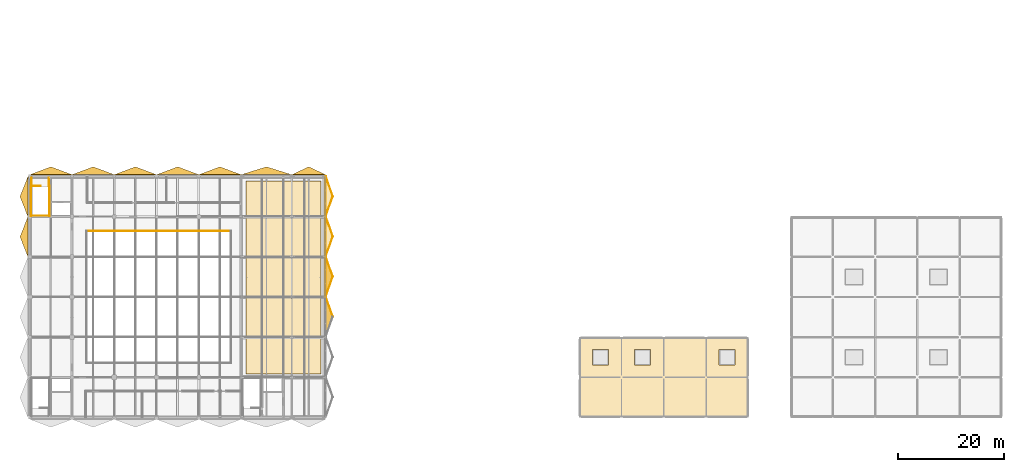
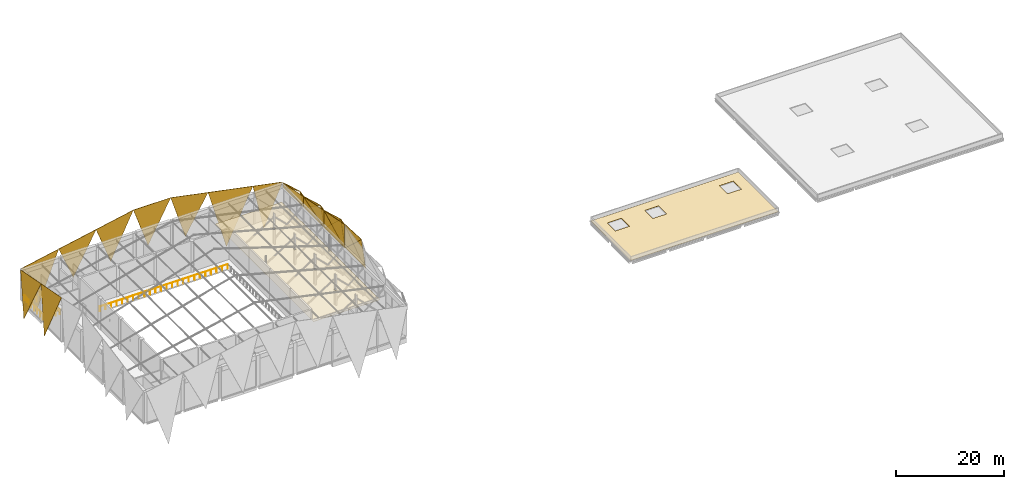
# One storey, part 43 of 46: 28 coverings, 7 railings.
"""IFC4 building model written with IfcOpenShell, lengths in metres."""

import ifcopenshell
import ifcopenshell.guid

model = None  # the IFC model being written
_history = None  # IfcOwnerHistory: only IFC2X3 demands one
_inside = {}  # id of a spatial element -> (the spatial element, [elements in it])
_under = {}  # id of a project, library or spatial element -> (it, [spatial elements below it])
_declared = {}  # id of a project -> (the project, [libraries it declares])
_typed = {}  # id of a type object -> (the type object, [elements of that type])
_made_of = {}  # id of a material, layer set ... -> (it, [elements and type objects made of it])


def new_model(schema):
    """Start an empty IFC model of exactly this schema.

    Asked for "IFC4X3", IfcOpenShell would pick the latest addendum, in which some entities
    have other attributes; the version numbers below select the first issue.
    IFC2X3 requires an IfcOwnerHistory on every rooted entity: one is made here for all.
    """
    global model, _history
    if schema == "IFC4X3":
        model = ifcopenshell.file(schema_version=(4, 3, 0, 0))
    else:
        model = ifcopenshell.file(schema=schema)
    _inside.clear()
    _under.clear()
    _declared.clear()
    _typed.clear()
    _made_of.clear()
    _history = None
    if model.schema == "IFC2X3":
        org = make("IfcOrganization", Name="unknown")
        user = make(
            "IfcPersonAndOrganization",
            ThePerson=make("IfcPerson", FamilyName="unknown"),
            TheOrganization=org,
        )
        app = make(
            "IfcApplication",
            ApplicationDeveloper=org,
            Version="unknown",
            ApplicationFullName="unknown",
            ApplicationIdentifier="unknown",
        )
        _history = make(
            "IfcOwnerHistory",
            OwningUser=user,
            OwningApplication=app,
            ChangeAction="ADDED",
            CreationDate=0,
        )
    return model


def make(cls, **values):
    """One entity of the class cls with the attributes given. An attribute that is None is left unset."""
    return model.create_entity(
        cls, **{name: value for name, value in values.items() if value is not None}
    )


def rooted(cls, **values):
    """An entity with a GlobalId (a new one), such as an element, a storey or a relation."""
    return make(cls, GlobalId=ifcopenshell.guid.new(), OwnerHistory=_history, **values)


def si_unit(unit_type, name, prefix=None):
    """IfcSIUnit, for example si_unit("LENGTHUNIT", "METRE", prefix="MILLI")."""
    return make("IfcSIUnit", UnitType=unit_type, Prefix=prefix, Name=name)


def assignment(units):
    """IfcUnitAssignment: the units of a project."""
    return None if units is None else make("IfcUnitAssignment", Units=units)


def point(xyz):
    """IfcCartesianPoint."""
    return None if xyz is None else make("IfcCartesianPoint", Coordinates=xyz)


def direction(xyz):
    """IfcDirection."""
    return None if xyz is None else make("IfcDirection", DirectionRatios=xyz)


def frame(location, z_axis=None, x_axis=None):
    """IfcAxis2Placement3D, a coordinate frame: its origin and axes. An axis left out is left unset."""
    return make(
        "IfcAxis2Placement3D",
        Location=point(location),
        Axis=direction(z_axis),
        RefDirection=direction(x_axis),
    )


def frame_2d(location, x_axis=None):
    """IfcAxis2Placement2D, a coordinate frame in the plane: its origin and x axis."""
    return make(
        "IfcAxis2Placement2D", Location=point(location), RefDirection=direction(x_axis)
    )


def origin():
    """The frame at (0, 0, 0) with its axes left unset."""
    return frame((0.0, 0.0, 0.0))


def origin_2d():
    """The frame at (0, 0) in the plane with its x axis left unset."""
    return frame_2d((0.0, 0.0))


def place(relative_to, where):
    """IfcLocalPlacement: puts the frame where relative to a parent placement (None: the world)."""
    return make(
        "IfcLocalPlacement", PlacementRelTo=relative_to, RelativePlacement=where
    )


def context(
    kind, dimensions, precision=None, world=None, true_north=None, identifier=None
):
    """IfcGeometricRepresentationContext, for example the 3D "Model" context."""
    return make(
        "IfcGeometricRepresentationContext",
        ContextIdentifier=identifier,
        ContextType=kind,
        CoordinateSpaceDimension=dimensions,
        Precision=precision,
        WorldCoordinateSystem=world,
        TrueNorth=true_north,
    )


def subcontext(parent, identifier, kind, view, scale=None):
    """IfcGeometricRepresentationSubContext, for example "Body" below "Model"."""
    return make(
        "IfcGeometricRepresentationSubContext",
        ContextIdentifier=identifier,
        ContextType=kind,
        ParentContext=parent,
        TargetScale=scale,
        TargetView=view,
    )


def project(units=None, contexts=None):
    """IfcProject with its units and contexts."""
    return rooted(
        "IfcProject",
        Name="project",
        RepresentationContexts=contexts,
        UnitsInContext=assignment(units),
    )


def spatial(cls, under=None, at=None, **own):
    """A site, building, storey or space (cls), placed at a placement, below another one or the project."""
    s = rooted(cls, ObjectPlacement=at, **own)
    if under is not None:
        _under.setdefault(under.id(), (under, []))[1].append(s)
    return s


def polyline(points):
    """IfcPolyline through the points."""
    return make("IfcPolyline", Points=[point(p) for p in points])


def profile(cls, at=None, kind="AREA", **sizes):
    """A parametric profile (cls). Its sizes go by their IFC names, for example OverallWidth=200.0."""
    return make(cls, ProfileType=kind, Position=at, **sizes)


def circle(**sizes):
    """IfcCircleProfileDef."""
    return profile("IfcCircleProfileDef", **sizes)


def outline(outer, holes=None, kind="AREA"):
    """IfcArbitraryClosedProfileDef: a profile drawn as a closed curve; with holes, ...WithVoids."""
    if holes is None:
        return make("IfcArbitraryClosedProfileDef", ProfileType=kind, OuterCurve=outer)
    return make(
        "IfcArbitraryProfileDefWithVoids",
        ProfileType=kind,
        OuterCurve=outer,
        InnerCurves=holes,
    )


def extrude(swept, where, along, depth):
    """IfcExtrudedAreaSolid: the profile swept, set in the frame where, extruded along a direction by depth."""
    return make(
        "IfcExtrudedAreaSolid",
        SweptArea=swept,
        Position=where,
        ExtrudedDirection=direction(along),
        Depth=depth,
    )


def shape(context_of_items, identifier, shape_type, items):
    """IfcShapeRepresentation: the items that make up one representation, for example the "Body"."""
    return make(
        "IfcShapeRepresentation",
        ContextOfItems=context_of_items,
        RepresentationIdentifier=identifier,
        RepresentationType=shape_type,
        Items=items,
    )


def material(Name=None, Category=None):
    """IfcMaterial."""
    return make("IfcMaterial", Name=Name, Category=Category)


def layer(
    of_material, thickness, ventilated=None, Name=None, Category=None, Priority=None
):
    """IfcMaterialLayer: one layer of a wall or slab, of a material (None: an air gap)."""
    return make(
        "IfcMaterialLayer",
        Material=of_material,
        LayerThickness=thickness,
        IsVentilated=ventilated,
        Name=Name,
        Category=Category,
        Priority=Priority,
    )


def layer_set(layers, Name=None):
    """IfcMaterialLayerSet."""
    return make("IfcMaterialLayerSet", MaterialLayers=layers, LayerSetName=Name)


def made_of(thing, what):
    """Note that an element or type object is made of a material, layer set ...; save() writes the relation."""
    if what is not None:
        _made_of.setdefault(what.id(), (what, []))[1].append(thing)
    return thing


def type_object(cls, material=None, **own):
    """A type object (cls), such as IfcWallType, which elements share."""
    return made_of(rooted(cls, **own), material)


def element(
    cls,
    number,
    at=None,
    inside=None,
    cuts=None,
    type_object=None,
    material=None,
    context=None,
    identifier="Body",
    shape_type=None,
    held_by="IfcProductDefinitionShape",
    body=None,
    shapes=None,
    **own,
):
    """One element of the class cls, such as IfcWall. Its Tag is "e" and its number.

    at: its placement. inside: the storey or other place that contains it. cuts: it is an
    opening in that element (IfcRelVoidsElement). A single representation is given by context,
    identifier, shape_type and body (its items); several are given by shapes. held_by: the class
    of the entity that holds the representations. save() writes the other relations.
    """
    e = rooted(cls, Tag="e%d" % number, ObjectPlacement=at, **own)
    if body is not None:
        shapes = [shape(context, identifier, shape_type, body)]
    if shapes is not None:
        e.Representation = make(held_by, Representations=shapes)
    if inside is not None:
        _inside.setdefault(inside.id(), (inside, []))[1].append(e)
    if cuts is not None:
        rooted(
            "IfcRelVoidsElement", RelatingBuildingElement=cuts, RelatedOpeningElement=e
        )
    if type_object is not None:
        _typed.setdefault(type_object.id(), (type_object, []))[1].append(e)
    return made_of(e, material)


def aggregate(whole, parts):
    """IfcRelAggregates: a whole, such as a stair, and the parts it consists of."""
    return rooted("IfcRelAggregates", RelatingObject=whole, RelatedObjects=parts)


def save(model, path):
    """Write the relations noted so far, then the file.

    IfcRelAggregates (storeys below a building ...), IfcRelContainedInSpatialStructure (elements
    in a storey), IfcRelDefinesByType, IfcRelAssociatesMaterial and IfcRelDeclares: one each for
    every whole, place, type object, material and project.
    """
    for whole, parts in _under.values():
        aggregate(whole, parts)
    for where, things in _inside.values():
        rooted(
            "IfcRelContainedInSpatialStructure",
            RelatedElements=things,
            RelatingStructure=where,
        )
    for kind, things in _typed.values():
        rooted("IfcRelDefinesByType", RelatedObjects=things, RelatingType=kind)
    for what, things in _made_of.values():
        rooted("IfcRelAssociatesMaterial", RelatedObjects=things, RelatingMaterial=what)
    for by, libraries in _declared.values():
        rooted("IfcRelDeclares", RelatingContext=by, RelatedDefinitions=libraries)
    model.write(path)


model = new_model("IFC4")

# Units and contexts
model_context = context("Model", 3, precision=1e-05, world=origin(), true_north=direction((0.0, 1.0)))
body_context = subcontext(model_context, "Body", "Model", "MODEL_VIEW")
ifc_project = project(units=[si_unit("LENGTHUNIT", "METRE"), si_unit("AREAUNIT", "SQUARE_METRE"), si_unit("VOLUMEUNIT", "CUBIC_METRE"), si_unit("PLANEANGLEUNIT", "RADIAN"), si_unit("MASSUNIT", "GRAM", prefix="KILO")], contexts=[model_context])

# Site, building, storey
site_placement = place(None, origin())
site = spatial("IfcSite", under=ifc_project, at=site_placement, CompositionType="ELEMENT")
building_placement = place(site_placement, origin())
building = spatial("IfcBuilding", under=site, at=building_placement, Name="Khelvaren Railside Concert Hall", CompositionType="ELEMENT")
storey_placement = place(building_placement, frame((0.0, 0.0, 19.800048828125)))
storey = spatial("IfcBuildingStorey", under=building, at=storey_placement, Name="L04", CompositionType="ELEMENT", Elevation=19.800048828125)

# Coverings
ifc_material_1 = material(Name="Precast architectural concrete C45/55", Category="concrete")
ifc_layer_1 = layer(ifc_material_1, 0.06005859375)
ifc_layer_set_1 = layer_set([ifc_layer_1], Name="Precast architectural concrete C45/55")
covering_type_1 = type_object("IfcCoveringType", Name="CLD31", PredefinedType="CLADDING", material=ifc_layer_set_1)
covering_1_placement = place(storey_placement, frame((0.0, 45.955078125, 7.0), z_axis=(-0.022860166249, 0.993287054992, 0.113394176148), x_axis=(0.980278058899, 0.0, 0.197623195101)))
element("IfcCovering", 1, at=covering_1_placement, inside=storey, type_object=covering_type_1, Name="Main Hall Cut-Crystal Upper Facet N-1", PredefinedType="CLADDING", context=body_context, shape_type="SweptSolid", body=[
    extrude(outline(polyline([(0.0, 0.0), (8.160949770709868, 2.220446049250313e-16), (1.4927014309444315, 12.922985099105977), (0.0, 0.0)])), origin(), (0.0, 0.0, -1.0), 0.06005859375),
])
covering_2_placement = place(storey_placement, frame((16.0, 45.955078125, 10.2255859375), z_axis=(-0.028880817845, 0.9892637958, 0.143258649583), x_axis=(0.980278058899, 0.0, 0.197623195101)))
element("IfcCovering", 2, at=covering_2_placement, inside=storey, type_object=covering_type_1, Name="Main Hall Cut-Crystal Upper Facet N-3", PredefinedType="CLADDING", context=body_context, shape_type="SweptSolid", body=[
    extrude(outline(polyline([(0.0, 0.0), (8.160949770709868, 2.220446049250313e-16), (2.040459276155999, 10.228989683712548), (0.0, 0.0)])), origin(), (0.0, 0.0, -1.0), 0.06005859375),
])
covering_3_placement = place(storey_placement, frame((32.0, 45.955078125, 11.83837890625), z_axis=(0.028880817845, 0.9892637958, 0.143258649583), x_axis=(0.980278058899, 0.0, -0.197623195101)))
element("IfcCovering", 3, at=covering_3_placement, inside=storey, type_object=covering_type_1, Name="Main Hall Cut-Crystal Upper Facet N-5", PredefinedType="CLADDING", context=body_context, shape_type="SweptSolid", body=[
    extrude(outline(polyline([(0.0, 0.0), (8.160949770709868, -2.220446049250313e-16), (6.120490494553868, 10.228989683712548), (0.0, 0.0)])), origin(), (0.0, 0.0, -1.0), 0.06005859375),
])
covering_4_placement = place(storey_placement, frame((49.60009765625, 45.955078125, 8.2900390625), z_axis=(0.02733598184, 0.990384537997, 0.135614199082), x_axis=(0.980283269929, 0.0, -0.197597344865)))
element("IfcCovering", 4, at=covering_4_placement, inside=storey, type_object=covering_type_1, Name="Main Hall Cut-Crystal Upper Facet N-7", PredefinedType="CLADDING", context=body_context, shape_type="SweptSolid", body=[
    extrude(outline(polyline([(0.0, 0.0), (6.52862549027838, 0.0), (5.421481415306211, 10.805646078632188), (0.0, 0.0)])), origin(), (0.0, 0.0, -1.0), 0.06005859375),
])
covering_5_placement = place(storey_placement, frame((-0.35498046875, 30.39990234375, 9.90771484375), z_axis=(-0.988039852076, 0.028972048222, 0.151452537555), x_axis=(0.0, 0.982190514712, -0.187887713303)))
element("IfcCovering", 5, at=covering_5_placement, inside=storey, type_object=covering_type_1, Name="Main Hall Cut-Crystal West Upper Facet 5", PredefinedType="CLADDING", context=body_context, shape_type="SweptSolid", body=[
    extrude(outline(polyline([(0.0, 0.0), (7.7379057753165865, 0.0), (5.701569093226583, 9.696040381071471), (0.0, 0.0)])), origin(), (0.0, 0.0, -1.0), 0.06005859375),
])
covering_6_placement = place(storey_placement, frame((55.97998046875, 22.800048828125, 6.02001953125), z_axis=(1.0, 0.0, 0.0), x_axis=(0.0, 0.890276748559, 0.455419928171)))
element("IfcCovering", 6, at=covering_6_placement, inside=storey, type_object=covering_type_1, Name="Main Hall East Gable Infill Cladding Panel 4B", PredefinedType="CLADDING", context=body_context, shape_type="SweptSolid", body=[
    extrude(outline(polyline([(0.0, 0.0), (8.536506797384522, 0.0), (2.432649562613104, 4.755460200614375), (0.0, 0.0)])), origin(), (0.0, 0.0, -1.0), 0.06005859375),
])
covering_7_placement = place(storey_placement, frame((56.02001953125, 22.800048828125, 6.02001953125), z_axis=(-0.942881912849, 0.0, 0.333127150532), x_axis=(0.0, 1.0, 0.0)))
element("IfcCovering", 7, at=covering_7_placement, inside=storey, type_object=covering_type_1, Name="Main Hall East Plaza Crystal Brow Lower Facet 4", PredefinedType="CLADDING", context=body_context, shape_type="SweptSolid", body=[
    extrude(outline(polyline([(0.0, 0.0), (7.599853515625, 0.0), (3.800048828125, -3.9927040557214744), (0.0, 0.0)])), origin(), (0.0, 0.0, -1.0), 0.06005859375),
])
covering_8_placement = place(storey_placement, frame((56.02001953125, 30.39990234375, 9.90771484375), z_axis=(-0.943847010579, -0.330382839478, 0.0), x_axis=(0.0, 0.0, -1.0)))
element("IfcCovering", 8, at=covering_8_placement, inside=storey, type_object=covering_type_1, Name="Main Hall East Plaza Crystal Brow North Flank 4", PredefinedType="CLADDING", context=body_context, shape_type="SweptSolid", body=[
    extrude(outline(polyline([(0.0, 0.0), (3.8876953125, 0.0), (0.123046875, 4.025869282745093), (0.0, 0.0)])), origin(), (0.0, 0.0, -1.0), 0.06005859375),
])
covering_9_placement = place(storey_placement, frame((55.97998046875, 30.39990234375, 6.02001953125), z_axis=(1.0, 0.0, 0.0), x_axis=(0.0, 1.0, 0.0)))
element("IfcCovering", 9, at=covering_9_placement, inside=storey, type_object=covering_type_1, Name="Main Hall East Gable Infill Cladding Panel 5A", PredefinedType="CLADDING", context=body_context, shape_type="SweptSolid", body=[
    extrude(outline(polyline([(0.0, 0.0), (7.60009765625, 0.0), (7.60009765625, 2.433837890625), (0.0, 0.0)])), origin(), (0.0, 0.0, -1.0), 0.06005859375),
])
covering_10_placement = place(storey_placement, frame((56.02001953125, 30.39990234375, 9.90771484375), z_axis=(0.943853629361, -0.330363930148, 0.0), x_axis=(0.0, 0.0, -1.0)))
element("IfcCovering", 10, at=covering_10_placement, inside=storey, type_object=covering_type_1, Name="Main Hall East Plaza Crystal Brow South Flank 5", PredefinedType="CLADDING", context=body_context, shape_type="SweptSolid", body=[
    extrude(outline(polyline([(0.0, 0.0), (3.8876953125, 0.0), (1.576904296875, 4.02609971495214), (0.0, 0.0)])), origin(), (0.0, 0.0, -1.0), 0.06005859375),
])
covering_11_placement = place(storey_placement, frame((55.97998046875, 38.0, 6.02001953125), z_axis=(1.0, 0.0, 0.0), x_axis=(0.0, 0.99178908053, 0.127884399912)))
element("IfcCovering", 11, at=covering_11_placement, inside=storey, type_object=covering_type_1, Name="Main Hall East Gable Infill Cladding Panel 6B", PredefinedType="CLADDING", context=body_context, shape_type="SweptSolid", body=[
    extrude(outline(polyline([(0.0, 0.0), (7.663018080604288, 0.0), (0.3112498981247496, 2.413853843702904), (0.0, 0.0)])), origin(), (0.0, 0.0, -1.0), 0.06005859375),
])
covering_12_placement = place(storey_placement, frame((56.02001953125, 38.0, 6.02001953125), z_axis=(-0.54159957451, 0.0, 0.840636604539), x_axis=(0.0, 1.0, 0.0)))
element("IfcCovering", 12, at=covering_12_placement, inside=storey, type_object=covering_type_1, Name="Main Hall East Plaza Crystal Brow Lower Facet 6", PredefinedType="CLADDING", context=body_context, shape_type="SweptSolid", body=[
    extrude(outline(polyline([(0.0, 0.0), (7.60009765625, 0.0), (3.800048828125, -1.5822272285297097), (0.0, 0.0)])), origin(), (0.0, 0.0, -1.0), 0.06005859375),
])
covering_13_placement = place(storey_placement, frame((56.02001953125, 45.60009765625, 7.0), z_axis=(-0.943853629361, -0.330363930148, 0.0), x_axis=(0.0, 0.0, -1.0)))
element("IfcCovering", 13, at=covering_13_placement, inside=storey, type_object=covering_type_1, Name="Main Hall East Plaza Crystal Brow North Flank 6", PredefinedType="CLADDING", context=body_context, shape_type="SweptSolid", body=[
    extrude(outline(polyline([(0.0, 0.0), (0.97998046875, 0.0), (0.123046875, 4.02609971495214), (0.0, 0.0)])), origin(), (0.0, 0.0, -1.0), 0.06005859375),
])
ifc_material_2 = material(Name="Board-marked precast concrete C45/55", Category="concrete")
ifc_layer_2 = layer(ifc_material_2, 0.070068359375)
ifc_layer_set_2 = layer_set([ifc_layer_2], Name="Board-marked precast concrete C45/55")
covering_type_2 = type_object("IfcCoveringType", Name="CLD68", PredefinedType="CLADDING", material=ifc_layer_set_2)
covering_14_placement = place(storey_placement, frame((8.0, 45.955078125, 8.61279296875), z_axis=(-0.031166282155, 0.987486175885, 0.154595327528), x_axis=(0.980278058899, 0.0, 0.197623195101)))
element("IfcCovering", 14, at=covering_14_placement, inside=storey, type_object=covering_type_2, Name="Main Hall Cut-Crystal Upper Facet N-2", PredefinedType="CLADDING", context=body_context, shape_type="SweptSolid", body=[
    extrude(outline(polyline([(0.0, 0.0), (8.160949770709868, 0.0), (2.1934532096683643, 9.478884466456229), (0.0, 0.0)])), origin(), (0.0, 0.0, -1.0), 0.070068359375),
])
covering_15_placement = place(storey_placement, frame((24.0, 45.955078125, 11.83837890625), z_axis=(0.0, 0.989612872785, 0.143757998103), x_axis=(1.0, 0.0, 0.0)))
element("IfcCovering", 15, at=covering_15_placement, inside=storey, type_object=covering_type_2, Name="Main Hall Cut-Crystal Upper Facet N-4", PredefinedType="CLADDING", context=body_context, shape_type="SweptSolid", body=[
    extrude(outline(polyline([(0.0, 0.0), (8.0, 0.0), (4.0, 10.398538283756029), (0.0, 0.0)])), origin(), (0.0, 0.0, -1.0), 0.070068359375),
])
covering_16_placement = place(storey_placement, frame((40.0, 45.955078125, 10.2255859375), z_axis=(0.021591959601, 0.994014447475, 0.107093722936), x_axis=(0.980274584619, 0.0, -0.197640427925)))
element("IfcCovering", 16, at=covering_16_placement, inside=storey, type_object=covering_type_2, Name="Main Hall Cut-Crystal Upper Facet N-6", PredefinedType="CLADDING", context=body_context, shape_type="SweptSolid", body=[
    extrude(outline(polyline([(0.0, 0.0), (9.793274054924582, 2.220446049250313e-16), (7.638897964918699, 13.683211442390784), (0.0, 0.0)])), origin(), (0.0, 0.0, -1.0), 0.070068359375),
])
covering_17_placement = place(storey_placement, frame((-0.35498046875, 38.0, 8.453857421875), z_axis=(-0.986078035096, 0.031242573654, 0.163321799806), x_axis=(0.0, 0.982190514712, -0.187887713303)))
element("IfcCovering", 17, at=covering_17_placement, inside=storey, type_object=covering_type_2, Name="Main Hall Cut-Crystal West Upper Facet 6", PredefinedType="CLADDING", context=body_context, shape_type="SweptSolid", body=[
    extrude(outline(polyline([(0.0, 0.0), (7.7379057753165865, -2.220446049250313e-16), (5.565011055506427, 8.99138952478272), (0.0, 0.0)])), origin(), (0.0, 0.0, -1.0), 0.070068359375),
])
covering_18_placement = place(storey_placement, frame((56.02001953125, 15.199951171875, 6.02001953125), z_axis=(-0.942881912849, 0.0, 0.333127150532), x_axis=(0.0, 1.0, 0.0)))
element("IfcCovering", 18, at=covering_18_placement, inside=storey, type_object=covering_type_2, Name="Main Hall East Plaza Crystal Brow Lower Facet 3", PredefinedType="CLADDING", context=body_context, shape_type="SweptSolid", body=[
    extrude(outline(polyline([(0.0, 0.0), (7.60009765625, 0.0), (3.800048828125, -3.9927040557214744), (0.0, 0.0)])), origin(), (0.0, 0.0, -1.0), 0.070068359375),
])
covering_19_placement = place(storey_placement, frame((56.02001953125, 22.800048828125, 11.361572265625), z_axis=(-0.943853629361, -0.330363930148, 0.0), x_axis=(0.0, 0.0, -1.0)))
element("IfcCovering", 19, at=covering_19_placement, inside=storey, type_object=covering_type_2, Name="Main Hall East Plaza Crystal Brow North Flank 3", PredefinedType="CLADDING", context=body_context, shape_type="SweptSolid", body=[
    extrude(outline(polyline([(0.0, 0.0), (5.341552734375, 0.0), (1.576904296875, 4.02609971495214), (0.0, 0.0)])), origin(), (0.0, 0.0, -1.0), 0.070068359375),
])
covering_20_placement = place(storey_placement, frame((55.97998046875, 22.800048828125, 6.02001953125), z_axis=(1.0, 0.0, 0.0), x_axis=(0.0, 1.0, 0.0)))
element("IfcCovering", 20, at=covering_20_placement, inside=storey, type_object=covering_type_2, Name="Main Hall East Gable Infill Cladding Panel 4A", PredefinedType="CLADDING", context=body_context, shape_type="SweptSolid", body=[
    extrude(outline(polyline([(0.0, 0.0), (7.599853515625, 0.0), (7.599853515625, 3.8876953125), (0.0, 0.0)])), origin(), (0.0, 0.0, -1.0), 0.070068359375),
])
covering_21_placement = place(storey_placement, frame((56.02001953125, 22.800048828125, 11.361572265625), z_axis=(0.943853629361, -0.330363930148, 0.0), x_axis=(0.0, 0.0, -1.0)))
element("IfcCovering", 21, at=covering_21_placement, inside=storey, type_object=covering_type_2, Name="Main Hall East Plaza Crystal Brow South Flank 4", PredefinedType="CLADDING", context=body_context, shape_type="SweptSolid", body=[
    extrude(outline(polyline([(0.0, 0.0), (5.341552734375, 0.0), (1.576904296875, 4.02609971495214), (0.0, 0.0)])), origin(), (0.0, 0.0, -1.0), 0.070068359375),
])
covering_22_placement = place(storey_placement, frame((55.97998046875, 30.39990234375, 6.02001953125), z_axis=(1.0, 0.0, 0.0), x_axis=(0.0, 0.952358410169, 0.304981079055)))
element("IfcCovering", 22, at=covering_22_placement, inside=storey, type_object=covering_type_2, Name="Main Hall East Gable Infill Cladding Panel 5B", PredefinedType="CLADDING", context=body_context, shape_type="SweptSolid", body=[
    extrude(outline(polyline([(0.0, 0.0), (7.980291427158453, 4.440892098500626e-16), (1.1856735114417802, 3.702479327032062), (0.0, 0.0)])), origin(), (0.0, 0.0, -1.0), 0.070068359375),
])
covering_23_placement = place(storey_placement, frame((56.02001953125, 30.39990234375, 6.02001953125), z_axis=(-0.866683642513, 0.0, 0.498858160001), x_axis=(0.0, 1.0, 0.0)))
element("IfcCovering", 23, at=covering_23_placement, inside=storey, type_object=covering_type_2, Name="Main Hall East Plaza Crystal Brow Lower Facet 5", PredefinedType="CLADDING", context=body_context, shape_type="SweptSolid", body=[
    extrude(outline(polyline([(0.0, 0.0), (7.60009765625, 0.0), (3.800048828125, -2.6662451006043564), (0.0, 0.0)])), origin(), (0.0, 0.0, -1.0), 0.070068359375),
])
covering_24_placement = place(storey_placement, frame((56.02001953125, 38.0, 8.453857421875), z_axis=(-0.943853629361, -0.330363930148, 0.0), x_axis=(0.0, 0.0, -1.0)))
element("IfcCovering", 24, at=covering_24_placement, inside=storey, type_object=covering_type_2, Name="Main Hall East Plaza Crystal Brow North Flank 5", PredefinedType="CLADDING", context=body_context, shape_type="SweptSolid", body=[
    extrude(outline(polyline([(0.0, 0.0), (2.433837890625, 0.0), (0.123046875, 4.02609971495214), (0.0, 0.0)])), origin(), (0.0, 0.0, -1.0), 0.070068359375),
])
covering_25_placement = place(storey_placement, frame((55.97998046875, 38.0, 6.02001953125), z_axis=(1.0, 0.0, 0.0), x_axis=(0.0, 1.0, 0.0)))
element("IfcCovering", 25, at=covering_25_placement, inside=storey, type_object=covering_type_2, Name="Main Hall East Gable Infill Cladding Panel 6A", PredefinedType="CLADDING", context=body_context, shape_type="SweptSolid", body=[
    extrude(outline(polyline([(0.0, 0.0), (7.60009765625, 0.0), (7.60009765625, 0.97998046875), (0.0, 0.0)])), origin(), (0.0, 0.0, -1.0), 0.070068359375),
])
covering_26_placement = place(storey_placement, frame((56.02001953125, 38.0, 8.453857421875), z_axis=(0.943853629361, -0.330363930148, 0.0), x_axis=(0.0, 0.0, -1.0)))
element("IfcCovering", 26, at=covering_26_placement, inside=storey, type_object=covering_type_2, Name="Main Hall East Plaza Crystal Brow South Flank 6", PredefinedType="CLADDING", context=body_context, shape_type="SweptSolid", body=[
    extrude(outline(polyline([(0.0, 0.0), (2.433837890625, 0.0), (1.576904296875, 4.02609971495214), (0.0, 0.0)])), origin(), (0.0, 0.0, -1.0), 0.070068359375),
])
ifc_material_3 = material(Name="Mineral-wool acoustic baffle ceiling", Category="gypsum")
ifc_layer_3 = layer(ifc_material_3, 0.0400390625)
ifc_layer_set_3 = layer_set([ifc_layer_3], Name="Mineral-wool acoustic baffle ceiling")
covering_type_3 = type_object("IfcCoveringType", Name="CLG20", PredefinedType="CEILING", material=ifc_layer_set_3)
covering_27_placement = place(storey_placement, frame((0.0, 0.0, 3.409912109375)))
element("IfcCovering", 27, at=covering_27_placement, inside=storey, type_object=covering_type_3, Name="Suspended Acoustic Ceiling Cable-Ring Winch Technical Loft", PredefinedType="CEILING", context=body_context, shape_type="SweptSolid", body=[
    extrude(outline(polyline([(40.89990234375, 8.27001953125), (55.14990234375, 8.27001953125), (55.14990234375, 44.75), (40.89990234375, 44.75), (40.89990234375, 8.27001953125)]), holes=[polyline([(49.43505859375, 14.93505859375), (49.764892578125, 14.93505859375), (49.764892578125, 15.465087890625), (49.43505859375, 15.465087890625), (49.43505859375, 14.93505859375)]), polyline([(49.43505859375, 22.534912109375), (49.764892578125, 22.534912109375), (49.764892578125, 23.06494140625), (49.43505859375, 23.06494140625), (49.43505859375, 22.534912109375)]), polyline([(49.43505859375, 30.135009765625), (49.764892578125, 30.135009765625), (49.764892578125, 30.6650390625), (49.43505859375, 30.6650390625), (49.43505859375, 30.135009765625)]), polyline([(49.43505859375, 37.735107421875), (49.764892578125, 37.735107421875), (49.764892578125, 38.264892578125), (49.43505859375, 38.264892578125), (49.43505859375, 37.735107421875)])]), origin(), (0.0, 0.0, 1.0), 0.0400390625),
])

# Railings
ifc_material_4 = material(Name="Painted architectural steel", Category="steel")
railing_type_1 = type_object("IfcRailingType", Name="GRD86", PredefinedType="GUARDRAIL", material=ifc_material_4)
railing_1_placement = place(storey_placement, frame((0.300048828125, 43.81005859375, 0.0)))
element("IfcRailing", 28, at=railing_1_placement, inside=storey, type_object=railing_type_1, Name="L04 ST-11 top well guard 1", PredefinedType="GUARDRAIL", context=body_context, shape_type="SweptSolid", body=[
    extrude(circle(Radius=0.02392578125, at=origin_2d()), frame((0.0, 0.0, 1.076171875), z_axis=(1.0, 0.0, 0.0), x_axis=(0.0, 1.0, 0.0)), (0.0, 0.0, 1.0), 1.800048828125),
    extrude(circle(Radius=0.02099609375, at=origin_2d()), origin(), (0.0, 0.0, 1.0), 1.052001953125),
    extrude(circle(Radius=0.02099609375, at=origin_2d()), frame((0.89990234375, 0.0, 0.0)), (0.0, 0.0, 1.0), 1.052001953125),
    extrude(circle(Radius=0.02099609375, at=origin_2d()), frame((1.800048828125, 0.0, 0.0)), (0.0, 0.0, 1.0), 1.052001953125),
])
for number, where, name in (
    (29, (0.25, 43.860107421875, 0.0), "L04 ST-11 top well guard 2"),
    (30, (3.75, 43.860107421875, 0.0), "L04 ST-11 top well guard 3"),
):
    element("IfcRailing", number, at=place(storey_placement, frame(where)), inside=storey, type_object=railing_type_1, Name=name, PredefinedType="GUARDRAIL", context=body_context, shape_type="SweptSolid", body=[
        extrude(circle(Radius=0.02392578125, at=origin_2d()), frame((0.0, 0.0, 1.076171875), z_axis=(0.0, -1.0, 0.0), x_axis=(1.0, 0.0, 0.0)), (0.0, 0.0, 1.0), 5.72021484375),
        extrude(circle(Radius=0.02099609375, at=origin_2d()), origin(), (0.0, 0.0, 1.0), 1.052001953125),
        extrude(circle(Radius=0.02099609375, at=origin_2d()), frame((0.0, -1.14404296875, 0.0)), (0.0, 0.0, 1.0), 1.052001953125),
        extrude(circle(Radius=0.02099609375, at=origin_2d()), frame((0.0, -2.2880859375, 0.0)), (0.0, 0.0, 1.0), 1.052001953125),
        extrude(circle(Radius=0.02099609375, at=origin_2d()), frame((0.0, -3.43212890625, 0.0)), (0.0, 0.0, 1.0), 1.052001953125),
        extrude(circle(Radius=0.02099609375, at=origin_2d()), frame((0.0, -4.576171875, 0.0)), (0.0, 0.0, 1.0), 1.052001953125),
        extrude(circle(Radius=0.02099609375, at=origin_2d()), frame((0.0, -5.72021484375, 0.0)), (0.0, 0.0, 1.0), 1.052001953125),
    ])
railing_2_placement = place(storey_placement, frame((0.199951171875, 38.18994140625, 0.0)))
element("IfcRailing", 31, at=railing_2_placement, inside=storey, type_object=railing_type_1, Name="L04 ST-11 top well guard 4", PredefinedType="GUARDRAIL", context=body_context, shape_type="SweptSolid", body=[
    extrude(circle(Radius=0.02392578125, at=origin_2d()), frame((0.0, 0.0, 1.076171875), z_axis=(1.0, 0.0, 0.0), x_axis=(0.0, 1.0, 0.0)), (0.0, 0.0, 1.0), 3.60009765625),
    extrude(circle(Radius=0.02099609375, at=origin_2d()), origin(), (0.0, 0.0, 1.0), 1.052001953125),
    extrude(circle(Radius=0.02099609375, at=origin_2d()), frame((0.89990234375, 0.0, 0.0)), (0.0, 0.0, 1.0), 1.052001953125),
    extrude(circle(Radius=0.02099609375, at=origin_2d()), frame((1.800048828125, 0.0, 0.0)), (0.0, 0.0, 1.0), 1.052001953125),
    extrude(circle(Radius=0.02099609375, at=origin_2d()), frame((2.7001953125, 0.0, 0.0)), (0.0, 0.0, 1.0), 1.052001953125),
    extrude(circle(Radius=0.02099609375, at=origin_2d()), frame((3.60009765625, 0.0, 0.0)), (0.0, 0.0, 1.0), 1.052001953125),
])
for number, where, name in (
    (32, (0.35009765625, 45.360107421875, 0.0), "L04 ST-11 top well guard 5"),
    (33, (3.64990234375, 45.360107421875, 0.0), "L04 ST-11 top well guard 6"),
):
    element("IfcRailing", number, at=place(storey_placement, frame(where)), inside=storey, type_object=railing_type_1, Name=name, PredefinedType="GUARDRAIL", context=body_context, shape_type="SweptSolid", body=[
        extrude(circle(Radius=0.02392578125, at=origin_2d()), frame((0.0, 0.0, 1.076171875), z_axis=(0.0, -1.0, 0.0), x_axis=(1.0, 0.0, 0.0)), (0.0, 0.0, 1.0), 1.60009765625),
        extrude(circle(Radius=0.02099609375, at=origin_2d()), origin(), (0.0, 0.0, 1.0), 1.052001953125),
        extrude(circle(Radius=0.02099609375, at=origin_2d()), frame((0.0, -0.800048828125, 0.0)), (0.0, 0.0, 1.0), 1.052001953125),
        extrude(circle(Radius=0.02099609375, at=origin_2d()), frame((0.0, -1.60009765625, 0.0)), (0.0, 0.0, 1.0), 1.052001953125),
    ])
ifc_material_5 = material(Name="Acoustic bronze and laminated glass guardrail", Category="glass")
railing_type_2 = type_object("IfcRailingType", Name="GRD91", PredefinedType="GUARDRAIL", material=ifc_material_5)
railing_3_placement = place(storey_placement, frame((38.080078125, 35.280029296875, 0.0)))
element("IfcRailing", 34, at=railing_3_placement, inside=storey, type_object=railing_type_2, Name="V1 L04 Acoustic Bowl Edge Guardrail N", PredefinedType="GUARDRAIL", context=body_context, shape_type="SweptSolid", body=[
    extrude(circle(Radius=0.02392578125, at=origin_2d()), frame((0.0, 0.0, 1.076171875), z_axis=(-1.0, 0.0, 0.0), x_axis=(0.0, -1.0, 0.0)), (0.0, 0.0, 1.0), 27.360107421875),
    extrude(circle(Radius=0.02099609375, at=origin_2d()), origin(), (0.0, 0.0, 1.0), 1.052001953125),
    extrude(circle(Radius=0.02099609375, at=origin_2d()), frame((-1.189453125, 0.0, 0.0)), (0.0, 0.0, 1.0), 1.052001953125),
    extrude(circle(Radius=0.02099609375, at=origin_2d()), frame((-2.379150390625, 0.0, 0.0)), (0.0, 0.0, 1.0), 1.052001953125),
    extrude(circle(Radius=0.02099609375, at=origin_2d()), frame((-3.568603515625, 0.0, 0.0)), (0.0, 0.0, 1.0), 1.052001953125),
    extrude(circle(Radius=0.02099609375, at=origin_2d()), frame((-4.75830078125, 0.0, 0.0)), (0.0, 0.0, 1.0), 1.052001953125),
    extrude(circle(Radius=0.02099609375, at=origin_2d()), frame((-5.94775390625, 0.0, 0.0)), (0.0, 0.0, 1.0), 1.052001953125),
    extrude(circle(Radius=0.02099609375, at=origin_2d()), frame((-7.137451171875, 0.0, 0.0)), (0.0, 0.0, 1.0), 1.052001953125),
    extrude(circle(Radius=0.02099609375, at=origin_2d()), frame((-8.326904296875, 0.0, 0.0)), (0.0, 0.0, 1.0), 1.052001953125),
    extrude(circle(Radius=0.02099609375, at=origin_2d()), frame((-9.5166015625, 0.0, 0.0)), (0.0, 0.0, 1.0), 1.052001953125),
    extrude(circle(Radius=0.02099609375, at=origin_2d()), frame((-10.7060546875, 0.0, 0.0)), (0.0, 0.0, 1.0), 1.052001953125),
    extrude(circle(Radius=0.02099609375, at=origin_2d()), frame((-11.895751953125, 0.0, 0.0)), (0.0, 0.0, 1.0), 1.052001953125),
    extrude(circle(Radius=0.02099609375, at=origin_2d()), frame((-13.085205078125, 0.0, 0.0)), (0.0, 0.0, 1.0), 1.052001953125),
    extrude(circle(Radius=0.02099609375, at=origin_2d()), frame((-14.27490234375, 0.0, 0.0)), (0.0, 0.0, 1.0), 1.052001953125),
    extrude(circle(Radius=0.02099609375, at=origin_2d()), frame((-15.46435546875, 0.0, 0.0)), (0.0, 0.0, 1.0), 1.052001953125),
    extrude(circle(Radius=0.02099609375, at=origin_2d()), frame((-16.654052734375, 0.0, 0.0)), (0.0, 0.0, 1.0), 1.052001953125),
    extrude(circle(Radius=0.02099609375, at=origin_2d()), frame((-17.843505859375, 0.0, 0.0)), (0.0, 0.0, 1.0), 1.052001953125),
    extrude(circle(Radius=0.02099609375, at=origin_2d()), frame((-19.033203125, 0.0, 0.0)), (0.0, 0.0, 1.0), 1.052001953125),
    extrude(circle(Radius=0.02099609375, at=origin_2d()), frame((-20.22265625, 0.0, 0.0)), (0.0, 0.0, 1.0), 1.052001953125),
    extrude(circle(Radius=0.02099609375, at=origin_2d()), frame((-21.412353515625, 0.0, 0.0)), (0.0, 0.0, 1.0), 1.052001953125),
    extrude(circle(Radius=0.02099609375, at=origin_2d()), frame((-22.601806640625, 0.0, 0.0)), (0.0, 0.0, 1.0), 1.052001953125),
    extrude(circle(Radius=0.02099609375, at=origin_2d()), frame((-23.79150390625, 0.0, 0.0)), (0.0, 0.0, 1.0), 1.052001953125),
    extrude(circle(Radius=0.02099609375, at=origin_2d()), frame((-24.98095703125, 0.0, 0.0)), (0.0, 0.0, 1.0), 1.052001953125),
    extrude(circle(Radius=0.02099609375, at=origin_2d()), frame((-26.170654296875, 0.0, 0.0)), (0.0, 0.0, 1.0), 1.052001953125),
    extrude(circle(Radius=0.02099609375, at=origin_2d()), frame((-27.360107421875, 0.0, 0.0)), (0.0, 0.0, 1.0), 1.052001953125),
])

# Covering
ifc_material_6 = material(Name="Standing-seam acoustic zinc and waterproof membrane", Category="steel")
ifc_layer_4 = layer(ifc_material_6, 0.050048828125)
ifc_layer_set_4 = layer_set([ifc_layer_4], Name="Standing-seam acoustic zinc and waterproof membrane")
covering_type_4 = type_object("IfcCoveringType", Name="RFG46", PredefinedType="ROOFING", material=ifc_layer_set_4)
covering_28_placement = place(storey_placement, origin())
element("IfcCovering", 35, at=covering_28_placement, inside=storey, type_object=covering_type_4, Name="Acoustic Standing-Seam Roofing V3-E-L04", PredefinedType="ROOFING", context=body_context, shape_type="SweptSolid", body=[
    extrude(outline(polyline([(104.199951171875, 0.199951171875), (135.800048828125, 0.199951171875), (135.800048828125, 15.0), (104.199951171875, 15.0), (104.199951171875, 0.199951171875)]), holes=[polyline([(106.5, 9.89990234375), (109.5, 9.89990234375), (109.5, 12.89990234375), (106.5, 12.89990234375), (106.5, 9.89990234375)]), polyline([(114.5, 9.89990234375), (117.5, 9.89990234375), (117.5, 12.89990234375), (114.5, 12.89990234375), (114.5, 9.89990234375)]), polyline([(130.5, 9.89990234375), (133.5, 9.89990234375), (133.5, 12.89990234375), (130.5, 12.89990234375), (130.5, 9.89990234375)])]), origin(), (0.0, 0.0, 1.0), 0.050048828125),
])

save(model, "model.ifc")
